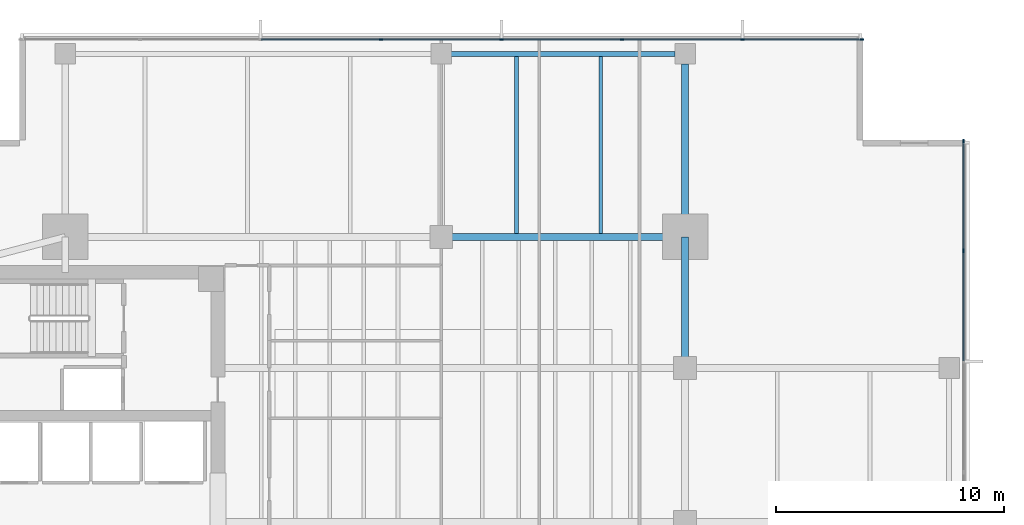
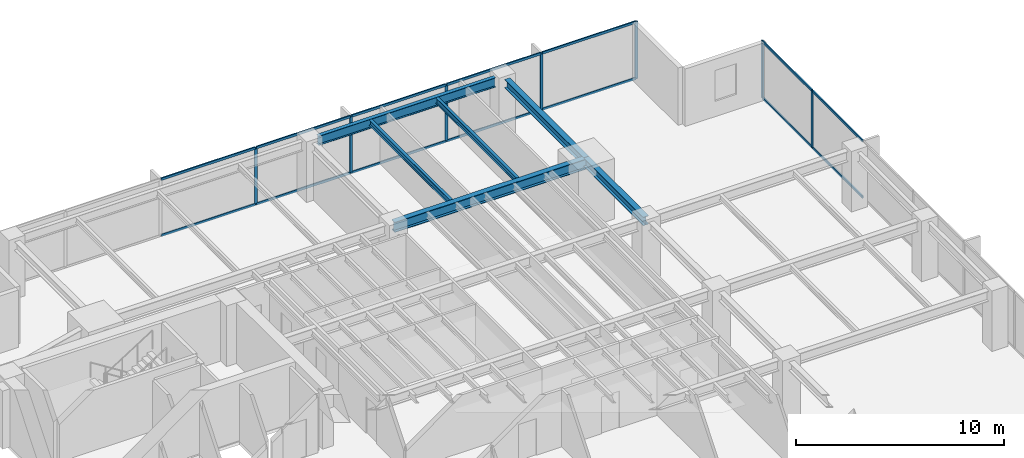
# One storey, part 6 of 14: 21 members, 6 beams, 2 elements without a shape of their own.
"""IFC4 building model written with IfcOpenShell, lengths in metres."""

from ifc_helpers import new_model, si_unit, direction, frame, origin, origin_2d, place, context, subcontext, project, spatial, rectangle, i_section, extrude, material, layer, layer_set, material_profile, profile_set, type_object, element, aggregate, save


model = new_model("IFC4")

# Units and contexts
model_context = context("Model", 3, precision=1e-05, world=origin(), true_north=direction((0.0, 1.0)))
body_context = subcontext(model_context, "Body", "Model", "MODEL_VIEW")
ifc_project = project(units=[si_unit("LENGTHUNIT", "METRE"), si_unit("AREAUNIT", "SQUARE_METRE"), si_unit("VOLUMEUNIT", "CUBIC_METRE"), si_unit("PLANEANGLEUNIT", "RADIAN"), si_unit("MASSUNIT", "GRAM", prefix="KILO")], contexts=[model_context])

# Site, building, storey
site_placement = place(None, origin())
site = spatial("IfcSite", under=ifc_project, at=site_placement, CompositionType="ELEMENT")
building_placement = place(site_placement, origin())
building = spatial("IfcBuilding", under=site, at=building_placement, Name="Kinhvarn Gate Tower", CompositionType="ELEMENT")
storey_placement = place(building_placement, frame((0.0, 0.0, 127.10009765625)))
storey = spatial("IfcBuildingStorey", under=building, at=storey_placement, Name="L33", CompositionType="ELEMENT", Elevation=127.10009765625)

# Curtain wall, members
ifc_material_1 = material(Name="Anodised aluminium AW-6063", Category="aluminium")
ifc_layer = layer(ifc_material_1, 0.179931640625)
ifc_layer_set = layer_set([ifc_layer], Name="Anodised aluminium AW-6063")
curtain_wall_type = type_object("IfcCurtainWallType", Name="CW-SYS-3", PredefinedType="NOTDEFINED", material=ifc_layer_set)
curtain_wall_1_placement = place(storey_placement, origin())
curtain_wall_1 = element("IfcCurtainWall", 1, at=curtain_wall_1_placement, inside=storey, type_object=curtain_wall_type, Name="Curtain Wall CW3 (L33)", PredefinedType="NOTDEFINED")
ifc_material_profile_1 = material_profile(ifc_material_1, rectangle(XDim=0.06494140625, YDim=0.159912109375, at=origin_2d()), Name="ALU 65x160")
ifc_profile_set_1 = profile_set([ifc_material_profile_1], Name="Anodised aluminium AW-6063")
member_type_1 = type_object("IfcMemberType", Name="CW-MUL-160", PredefinedType="MULLION", material=ifc_profile_set_1)
member_1_placement = place(storey_placement, frame((45.967529296875, 46.409912109375, 0.0), z_axis=(0.0, 0.0, 1.0), x_axis=(0.0, -1.0, 0.0)))
member_1 = element("IfcMember", 2, at=member_1_placement, type_object=member_type_1, Name="CW3 mullion 1", PredefinedType="MULLION", context=body_context, shape_type="SweptSolid", body=[
    extrude(rectangle(XDim=0.06494140625, YDim=0.159912109375, at=origin_2d()), origin(), (0.0, 0.0, 1.0), 3.369873046875),
])
member_2_placement = place(storey_placement, frame((40.71435546875, 46.409912109375, 0.0), z_axis=(0.0, 0.0, 1.0), x_axis=(0.0, -1.0, 0.0)))
member_2 = element("IfcMember", 3, at=member_2_placement, type_object=member_type_1, Name="CW3 mullion 2", PredefinedType="MULLION", context=body_context, shape_type="SweptSolid", body=[
    extrude(rectangle(XDim=0.06494140625, YDim=0.159912109375, at=origin_2d()), origin(), (0.0, 0.0, 1.0), 3.369873046875),
])
member_3_placement = place(storey_placement, frame((35.428466796875, 46.409912109375, 0.0), z_axis=(0.0, 0.0, 1.0), x_axis=(0.0, -1.0, 0.0)))
member_3 = element("IfcMember", 4, at=member_3_placement, type_object=member_type_1, Name="CW3 mullion 3", PredefinedType="MULLION", context=body_context, shape_type="SweptSolid", body=[
    extrude(rectangle(XDim=0.06494140625, YDim=0.159912109375, at=origin_2d()), origin(), (0.0, 0.0, 1.0), 3.369873046875),
])
member_4_placement = place(storey_placement, frame((30.142822265625, 46.409912109375, 0.0), z_axis=(0.0, 0.0, 1.0), x_axis=(0.0, -1.0, 0.0)))
member_4 = element("IfcMember", 5, at=member_4_placement, type_object=member_type_1, Name="CW3 mullion 4", PredefinedType="MULLION", context=body_context, shape_type="SweptSolid", body=[
    extrude(rectangle(XDim=0.06494140625, YDim=0.159912109375, at=origin_2d()), origin(), (0.0, 0.0, 1.0), 3.369873046875),
])
member_5_placement = place(storey_placement, frame((24.857177734375, 46.409912109375, 0.0), z_axis=(0.0, 0.0, 1.0), x_axis=(0.0, -1.0, 0.0)))
member_5 = element("IfcMember", 6, at=member_5_placement, type_object=member_type_1, Name="CW3 mullion 5", PredefinedType="MULLION", context=body_context, shape_type="SweptSolid", body=[
    extrude(rectangle(XDim=0.06494140625, YDim=0.159912109375, at=origin_2d()), origin(), (0.0, 0.0, 1.0), 3.369873046875),
])

curtain_wall_2_placement = place(storey_placement, origin())
curtain_wall_2 = element("IfcCurtainWall", 7, at=curtain_wall_2_placement, inside=storey, type_object=curtain_wall_type, Name="Curtain Wall CW3 (L33)", PredefinedType="NOTDEFINED")
member_6_placement = place(storey_placement, frame((50.409912109375, 37.142822265625, 0.0), z_axis=(0.0, 0.0, 1.0), x_axis=(-1.0, 0.0, 0.0)))
member_6 = element("IfcMember", 8, at=member_6_placement, type_object=member_type_1, Name="CW3 mullion 7", PredefinedType="MULLION", context=body_context, shape_type="SweptSolid", body=[
    extrude(rectangle(XDim=0.06494140625, YDim=0.159912109375, at=origin_2d()), origin(), (0.0, 0.0, 1.0), 3.369873046875),
])
member_7_placement = place(storey_placement, frame((50.409912109375, 41.967529296875, 0.0), z_axis=(0.0, 0.0, 1.0), x_axis=(-1.0, 0.0, 0.0)))
member_7 = element("IfcMember", 9, at=member_7_placement, type_object=member_type_1, Name="CW3 mullion 8", PredefinedType="MULLION", context=body_context, shape_type="SweptSolid", body=[
    extrude(rectangle(XDim=0.06494140625, YDim=0.159912109375, at=origin_2d()), origin(), (0.0, 0.0, 1.0), 3.369873046875),
])

# Member
ifc_material_profile_2 = material_profile(ifc_material_1, rectangle(XDim=0.070068359375, YDim=0.139892578125, at=origin_2d()), Name="ALU 70x140")
ifc_profile_set_2 = profile_set([ifc_material_profile_2], Name="Anodised aluminium AW-6063")
member_type_2 = type_object("IfcMemberType", Name="CW-TRN-140", PredefinedType="USERDEFINED", material=ifc_profile_set_2)
member_8_placement = place(storey_placement, frame((45.93505859375, 46.409912109375, 0.034912109375), z_axis=(-1.0, 0.0, 0.0), x_axis=(0.0, -1.0, 0.0)))
member_8 = element("IfcMember", 10, at=member_8_placement, type_object=member_type_2, Name="CW3 transom 1.1", ObjectType="TRANSOM", PredefinedType="USERDEFINED", context=body_context, shape_type="SweptSolid", body=[
    extrude(rectangle(XDim=0.070068359375, YDim=0.139892578125, at=origin_2d()), origin(), (0.0, 0.0, 1.0), 5.188232421875),
])

member_9_placement = place(storey_placement, frame((45.93505859375, 46.409912109375, 3.3349609375), z_axis=(-1.0, 0.0, 0.0), x_axis=(0.0, -1.0, 0.0)))
member_9 = element("IfcMember", 11, at=member_9_placement, type_object=member_type_2, Name="CW3 transom 1.2", ObjectType="TRANSOM", PredefinedType="USERDEFINED", context=body_context, shape_type="SweptSolid", body=[
    extrude(rectangle(XDim=0.070068359375, YDim=0.139892578125, at=origin_2d()), origin(), (0.0, 0.0, 1.0), 5.188232421875),
])

member_10_placement = place(storey_placement, frame((40.681884765625, 46.409912109375, 0.034912109375), z_axis=(-1.0, 0.0, 0.0), x_axis=(0.0, -1.0, 0.0)))
member_10 = element("IfcMember", 12, at=member_10_placement, type_object=member_type_2, Name="CW3 transom 2.1", ObjectType="TRANSOM", PredefinedType="USERDEFINED", context=body_context, shape_type="SweptSolid", body=[
    extrude(rectangle(XDim=0.070068359375, YDim=0.139892578125, at=origin_2d()), origin(), (0.0, 0.0, 1.0), 5.220703125),
])

member_11_placement = place(storey_placement, frame((40.681884765625, 46.409912109375, 3.3349609375), z_axis=(-1.0, 0.0, 0.0), x_axis=(0.0, -1.0, 0.0)))
member_11 = element("IfcMember", 13, at=member_11_placement, type_object=member_type_2, Name="CW3 transom 2.2", ObjectType="TRANSOM", PredefinedType="USERDEFINED", context=body_context, shape_type="SweptSolid", body=[
    extrude(rectangle(XDim=0.070068359375, YDim=0.139892578125, at=origin_2d()), origin(), (0.0, 0.0, 1.0), 5.220703125),
])

member_12_placement = place(storey_placement, frame((35.39599609375, 46.409912109375, 0.034912109375), z_axis=(-1.0, 0.0, 0.0), x_axis=(0.0, -1.0, 0.0)))
member_12 = element("IfcMember", 14, at=member_12_placement, type_object=member_type_2, Name="CW3 transom 3.1", ObjectType="TRANSOM", PredefinedType="USERDEFINED", context=body_context, shape_type="SweptSolid", body=[
    extrude(rectangle(XDim=0.070068359375, YDim=0.139892578125, at=origin_2d()), origin(), (0.0, 0.0, 1.0), 5.220703125),
])

member_13_placement = place(storey_placement, frame((35.39599609375, 46.409912109375, 3.3349609375), z_axis=(-1.0, 0.0, 0.0), x_axis=(0.0, -1.0, 0.0)))
member_13 = element("IfcMember", 15, at=member_13_placement, type_object=member_type_2, Name="CW3 transom 3.2", ObjectType="TRANSOM", PredefinedType="USERDEFINED", context=body_context, shape_type="SweptSolid", body=[
    extrude(rectangle(XDim=0.070068359375, YDim=0.139892578125, at=origin_2d()), origin(), (0.0, 0.0, 1.0), 5.220703125),
])

member_14_placement = place(storey_placement, frame((30.1103515625, 46.409912109375, 0.034912109375), z_axis=(-1.0, 0.0, 0.0), x_axis=(0.0, -1.0, 0.0)))
member_14 = element("IfcMember", 16, at=member_14_placement, type_object=member_type_2, Name="CW3 transom 4.1", ObjectType="TRANSOM", PredefinedType="USERDEFINED", context=body_context, shape_type="SweptSolid", body=[
    extrude(rectangle(XDim=0.070068359375, YDim=0.139892578125, at=origin_2d()), origin(), (0.0, 0.0, 1.0), 5.220703125),
])

member_15_placement = place(storey_placement, frame((30.1103515625, 46.409912109375, 3.3349609375), z_axis=(-1.0, 0.0, 0.0), x_axis=(0.0, -1.0, 0.0)))
member_15 = element("IfcMember", 17, at=member_15_placement, type_object=member_type_2, Name="CW3 transom 4.2", ObjectType="TRANSOM", PredefinedType="USERDEFINED", context=body_context, shape_type="SweptSolid", body=[
    extrude(rectangle(XDim=0.070068359375, YDim=0.139892578125, at=origin_2d()), origin(), (0.0, 0.0, 1.0), 5.220703125),
])

member_16_placement = place(storey_placement, frame((24.82470703125, 46.409912109375, 0.034912109375), z_axis=(-1.0, 0.0, 0.0), x_axis=(0.0, -1.0, 0.0)))
member_16 = element("IfcMember", 18, at=member_16_placement, type_object=member_type_2, Name="CW3 transom 5.1", ObjectType="TRANSOM", PredefinedType="USERDEFINED", context=body_context, shape_type="SweptSolid", body=[
    extrude(rectangle(XDim=0.070068359375, YDim=0.139892578125, at=origin_2d()), origin(), (0.0, 0.0, 1.0), 5.220703125),
])

member_17_placement = place(storey_placement, frame((24.82470703125, 46.409912109375, 3.3349609375), z_axis=(-1.0, 0.0, 0.0), x_axis=(0.0, -1.0, 0.0)))
member_17 = element("IfcMember", 19, at=member_17_placement, type_object=member_type_2, Name="CW3 transom 5.2", ObjectType="TRANSOM", PredefinedType="USERDEFINED", context=body_context, shape_type="SweptSolid", body=[
    extrude(rectangle(XDim=0.070068359375, YDim=0.139892578125, at=origin_2d()), origin(), (0.0, 0.0, 1.0), 5.220703125),
])

aggregate(curtain_wall_1, [member_1, member_2, member_3, member_4, member_5, member_8, member_9, member_10, member_11, member_12, member_13, member_14, member_15, member_16, member_17])

member_18_placement = place(storey_placement, frame((50.409912109375, 32.318115234375, 0.034912109375), z_axis=(0.0, 1.0, 0.0), x_axis=(-1.0, 0.0, 0.0)))
member_18 = element("IfcMember", 20, at=member_18_placement, type_object=member_type_2, Name="CW3 transom 6.1", ObjectType="TRANSOM", PredefinedType="USERDEFINED", context=body_context, shape_type="SweptSolid", body=[
    extrude(rectangle(XDim=0.070068359375, YDim=0.139892578125, at=origin_2d()), origin(), (0.0, 0.0, 1.0), 4.792236328125),
])

member_19_placement = place(storey_placement, frame((50.409912109375, 32.318115234375, 3.3349609375), z_axis=(0.0, 1.0, 0.0), x_axis=(-1.0, 0.0, 0.0)))
member_19 = element("IfcMember", 21, at=member_19_placement, type_object=member_type_2, Name="CW3 transom 6.2", ObjectType="TRANSOM", PredefinedType="USERDEFINED", context=body_context, shape_type="SweptSolid", body=[
    extrude(rectangle(XDim=0.070068359375, YDim=0.139892578125, at=origin_2d()), origin(), (0.0, 0.0, 1.0), 4.792236328125),
])

member_20_placement = place(storey_placement, frame((50.409912109375, 37.17529296875, 0.034912109375), z_axis=(0.0, 1.0, 0.0), x_axis=(-1.0, 0.0, 0.0)))
member_20 = element("IfcMember", 22, at=member_20_placement, type_object=member_type_2, Name="CW3 transom 7.1", ObjectType="TRANSOM", PredefinedType="USERDEFINED", context=body_context, shape_type="SweptSolid", body=[
    extrude(rectangle(XDim=0.070068359375, YDim=0.139892578125, at=origin_2d()), origin(), (0.0, 0.0, 1.0), 4.759765625),
])

member_21_placement = place(storey_placement, frame((50.409912109375, 37.17529296875, 3.3349609375), z_axis=(0.0, 1.0, 0.0), x_axis=(-1.0, 0.0, 0.0)))
member_21 = element("IfcMember", 23, at=member_21_placement, type_object=member_type_2, Name="CW3 transom 7.2", ObjectType="TRANSOM", PredefinedType="USERDEFINED", context=body_context, shape_type="SweptSolid", body=[
    extrude(rectangle(XDim=0.070068359375, YDim=0.139892578125, at=origin_2d()), origin(), (0.0, 0.0, 1.0), 4.759765625),
])

aggregate(curtain_wall_2, [member_6, member_7, member_18, member_19, member_20, member_21])

# Beams
ifc_material_2 = material(Name="Steel S355", Category="steel")
ifc_material_profile_3 = material_profile(ifc_material_2, i_section(OverallWidth=0.300048828125, OverallDepth=0.5, WebThickness=0.014404296875, FlangeThickness=0.028076171875, at=origin_2d()), Name="HEB 500")
ifc_profile_set_3 = profile_set([ifc_material_profile_3], Name="Steel S355")
beam_type_1 = type_object("IfcBeamType", Name="STL-HEB500", PredefinedType="BEAM", material=ifc_profile_set_3)
beam_1_placement = place(storey_placement, frame((38.199951171875, 37.75, 3.119873046875), z_axis=(0.0, 1.0, 0.0), x_axis=(-1.0, 0.0, 0.0)))
element("IfcBeam", 24, at=beam_1_placement, inside=storey, type_object=beam_type_1, Name="Floor Beam PG-14 (L33 MCE-N)", PredefinedType="BEAM", context=body_context, shape_type="SweptSolid", body=[
    extrude(i_section(OverallWidth=0.300048828125, OverallDepth=0.5, WebThickness=0.014404296875, FlangeThickness=0.028076171875, at=origin_2d()), origin(), (0.0, 0.0, 1.0), 7.594970703125),
])
beam_2_placement = place(storey_placement, frame((38.199951171875, 32.0, 3.119873046875), z_axis=(0.0, 1.0, 0.0), x_axis=(-1.0, 0.0, 0.0)))
element("IfcBeam", 25, at=beam_2_placement, inside=storey, type_object=beam_type_1, Name="Floor Beam PG-14 (L33 MG-E-32)", PredefinedType="BEAM", context=body_context, shape_type="SweptSolid", body=[
    extrude(i_section(OverallWidth=0.300048828125, OverallDepth=0.5, WebThickness=0.014404296875, FlangeThickness=0.028076171875, at=origin_2d()), origin(), (0.0, 0.0, 1.0), 5.75),
])
ifc_material_profile_4 = material_profile(ifc_material_2, i_section(OverallWidth=0.300048828125, OverallDepth=0.60009765625, WebThickness=0.015380859375, FlangeThickness=0.030029296875, at=origin_2d()), Name="HEB 600")
ifc_profile_set_4 = profile_set([ifc_material_profile_4], Name="Steel S355")
beam_type_2 = type_object("IfcBeamType", Name="STL-HEB600", PredefinedType="BEAM", material=ifc_profile_set_4)
beam_3_placement = place(storey_placement, frame((27.5, 37.75, 3.06982421875), z_axis=(1.0, 0.0, 0.0), x_axis=(0.0, 1.0, 0.0)))
element("IfcBeam", 26, at=beam_3_placement, inside=storey, type_object=beam_type_2, Name="Floor Beam PG-16 (L33 MG-N2)", PredefinedType="BEAM", context=body_context, shape_type="SweptSolid", body=[
    extrude(i_section(OverallWidth=0.300048828125, OverallDepth=0.60009765625, WebThickness=0.015380859375, FlangeThickness=0.030029296875, at=origin_2d()), origin(), (0.0, 0.0, 1.0), 10.699951171875),
])
ifc_material_profile_5 = material_profile(ifc_material_2, i_section(OverallWidth=0.159912109375, OverallDepth=0.330078125, WebThickness=0.007568359375, FlangeThickness=0.011474609375, at=origin_2d()), Name="IPE 330")
ifc_profile_set_5 = profile_set([ifc_material_profile_5], Name="Steel S355")
beam_type_3 = type_object("IfcBeamType", Name="STL-IPE330", PredefinedType="JOIST", material=ifc_profile_set_5)
for number, where, z_axis, x_axis, name in (
    (27, (30.800048828125, 37.89990234375, 3.204833984375), (0.0, 1.0, 0.0), (-1.0, 0.0, 0.0), "Floor Joist SB-03 (L33 JN-X308)"),
    (28, (34.5, 37.89990234375, 3.204833984375), (0.0, 1.0, 0.0), (-1.0, 0.0, 0.0), "Floor Joist SB-03 (L33 JN-X345)"),
):
    element("IfcBeam", number, at=place(storey_placement, frame(where, z_axis=z_axis, x_axis=x_axis)), inside=storey, type_object=beam_type_3, Name=name, PredefinedType="JOIST", context=body_context, shape_type="SweptSolid", body=[
        extrude(i_section(OverallWidth=0.159912109375, OverallDepth=0.330078125, WebThickness=0.007568359375, FlangeThickness=0.011474609375, at=origin_2d()), origin(), (0.0, 0.0, 1.0), 7.775146484375),
    ])
ifc_material_profile_6 = material_profile(ifc_material_2, i_section(OverallWidth=0.2099609375, OverallDepth=0.550048828125, WebThickness=0.010986328125, FlangeThickness=0.01708984375, at=origin_2d()), Name="IPE 550")
ifc_profile_set_6 = profile_set([ifc_material_profile_6], Name="Steel S355")
beam_type_4 = type_object("IfcBeamType", Name="STL-IPE550", PredefinedType="SPANDREL", material=ifc_profile_set_6)
beam_4_placement = place(storey_placement, frame((27.93505859375, 45.780029296875, 3.094970703125), z_axis=(1.0, 0.0, 0.0), x_axis=(0.0, 1.0, 0.0)))
element("IfcBeam", 29, at=beam_4_placement, inside=storey, type_object=beam_type_4, Name="Floor Spandrel SB-08 (L33 SP-N2)", PredefinedType="SPANDREL", context=body_context, shape_type="SweptSolid", body=[
    extrude(i_section(OverallWidth=0.2099609375, OverallDepth=0.550048828125, WebThickness=0.010986328125, FlangeThickness=0.01708984375, at=origin_2d()), origin(), (0.0, 0.0, 1.0), 9.829833984375),
])

save(model, "model.ifc")
